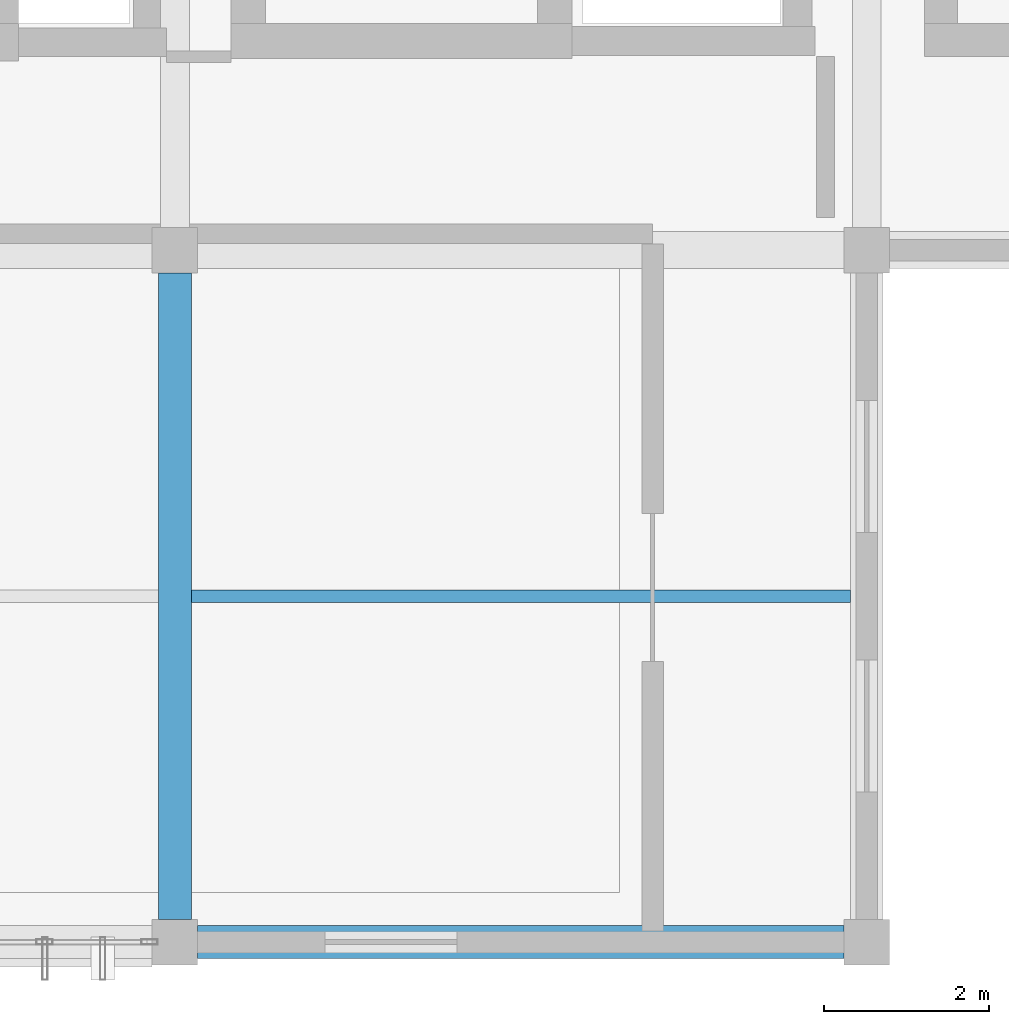
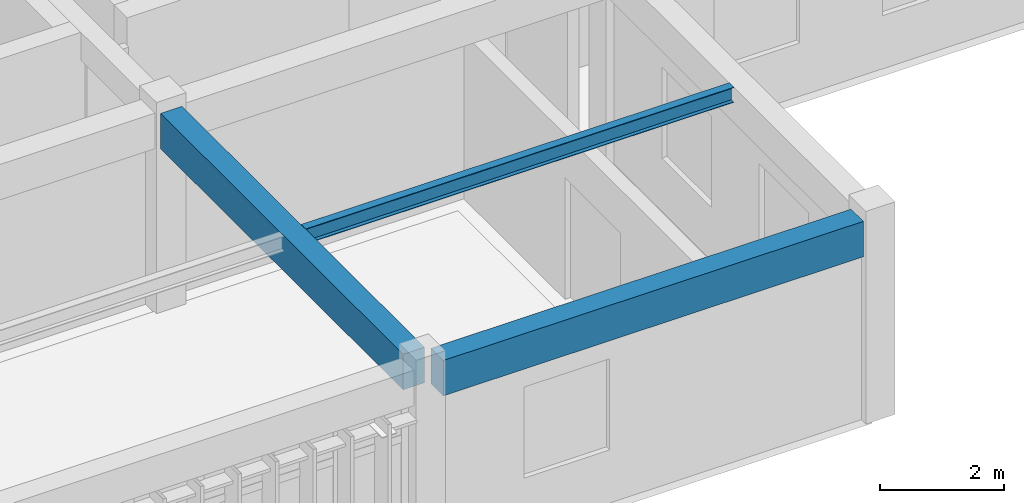
# One storey, part 6 of 21: 3 beams.
"""IFC4 building model written with IfcOpenShell, lengths in metres."""

import ifcopenshell
import ifcopenshell.guid

model = None  # the IFC model being written
_history = None  # IfcOwnerHistory: only IFC2X3 demands one
_inside = {}  # id of a spatial element -> (the spatial element, [elements in it])
_under = {}  # id of a project, library or spatial element -> (it, [spatial elements below it])
_declared = {}  # id of a project -> (the project, [libraries it declares])
_typed = {}  # id of a type object -> (the type object, [elements of that type])
_made_of = {}  # id of a material, layer set ... -> (it, [elements and type objects made of it])


def new_model(schema):
    """Start an empty IFC model of exactly this schema.

    Asked for "IFC4X3", IfcOpenShell would pick the latest addendum, in which some entities
    have other attributes; the version numbers below select the first issue.
    IFC2X3 requires an IfcOwnerHistory on every rooted entity: one is made here for all.
    """
    global model, _history
    if schema == "IFC4X3":
        model = ifcopenshell.file(schema_version=(4, 3, 0, 0))
    else:
        model = ifcopenshell.file(schema=schema)
    _inside.clear()
    _under.clear()
    _declared.clear()
    _typed.clear()
    _made_of.clear()
    _history = None
    if model.schema == "IFC2X3":
        org = make("IfcOrganization", Name="unknown")
        user = make(
            "IfcPersonAndOrganization",
            ThePerson=make("IfcPerson", FamilyName="unknown"),
            TheOrganization=org,
        )
        app = make(
            "IfcApplication",
            ApplicationDeveloper=org,
            Version="unknown",
            ApplicationFullName="unknown",
            ApplicationIdentifier="unknown",
        )
        _history = make(
            "IfcOwnerHistory",
            OwningUser=user,
            OwningApplication=app,
            ChangeAction="ADDED",
            CreationDate=0,
        )
    return model


def make(cls, **values):
    """One entity of the class cls with the attributes given. An attribute that is None is left unset."""
    return model.create_entity(
        cls, **{name: value for name, value in values.items() if value is not None}
    )


def rooted(cls, **values):
    """An entity with a GlobalId (a new one), such as an element, a storey or a relation."""
    return make(cls, GlobalId=ifcopenshell.guid.new(), OwnerHistory=_history, **values)


def si_unit(unit_type, name, prefix=None):
    """IfcSIUnit, for example si_unit("LENGTHUNIT", "METRE", prefix="MILLI")."""
    return make("IfcSIUnit", UnitType=unit_type, Prefix=prefix, Name=name)


def assignment(units):
    """IfcUnitAssignment: the units of a project."""
    return None if units is None else make("IfcUnitAssignment", Units=units)


def point(xyz):
    """IfcCartesianPoint."""
    return None if xyz is None else make("IfcCartesianPoint", Coordinates=xyz)


def direction(xyz):
    """IfcDirection."""
    return None if xyz is None else make("IfcDirection", DirectionRatios=xyz)


def frame(location, z_axis=None, x_axis=None):
    """IfcAxis2Placement3D, a coordinate frame: its origin and axes. An axis left out is left unset."""
    return make(
        "IfcAxis2Placement3D",
        Location=point(location),
        Axis=direction(z_axis),
        RefDirection=direction(x_axis),
    )


def frame_2d(location, x_axis=None):
    """IfcAxis2Placement2D, a coordinate frame in the plane: its origin and x axis."""
    return make(
        "IfcAxis2Placement2D", Location=point(location), RefDirection=direction(x_axis)
    )


def origin():
    """The frame at (0, 0, 0) with its axes left unset."""
    return frame((0.0, 0.0, 0.0))


def origin_2d():
    """The frame at (0, 0) in the plane with its x axis left unset."""
    return frame_2d((0.0, 0.0))


def place(relative_to, where):
    """IfcLocalPlacement: puts the frame where relative to a parent placement (None: the world)."""
    return make(
        "IfcLocalPlacement", PlacementRelTo=relative_to, RelativePlacement=where
    )


def context(
    kind, dimensions, precision=None, world=None, true_north=None, identifier=None
):
    """IfcGeometricRepresentationContext, for example the 3D "Model" context."""
    return make(
        "IfcGeometricRepresentationContext",
        ContextIdentifier=identifier,
        ContextType=kind,
        CoordinateSpaceDimension=dimensions,
        Precision=precision,
        WorldCoordinateSystem=world,
        TrueNorth=true_north,
    )


def subcontext(parent, identifier, kind, view, scale=None):
    """IfcGeometricRepresentationSubContext, for example "Body" below "Model"."""
    return make(
        "IfcGeometricRepresentationSubContext",
        ContextIdentifier=identifier,
        ContextType=kind,
        ParentContext=parent,
        TargetScale=scale,
        TargetView=view,
    )


def project(units=None, contexts=None):
    """IfcProject with its units and contexts."""
    return rooted(
        "IfcProject",
        Name="project",
        RepresentationContexts=contexts,
        UnitsInContext=assignment(units),
    )


def spatial(cls, under=None, at=None, **own):
    """A site, building, storey or space (cls), placed at a placement, below another one or the project."""
    s = rooted(cls, ObjectPlacement=at, **own)
    if under is not None:
        _under.setdefault(under.id(), (under, []))[1].append(s)
    return s


def profile(cls, at=None, kind="AREA", **sizes):
    """A parametric profile (cls). Its sizes go by their IFC names, for example OverallWidth=200.0."""
    return make(cls, ProfileType=kind, Position=at, **sizes)


def rectangle(**sizes):
    """IfcRectangleProfileDef."""
    return profile("IfcRectangleProfileDef", **sizes)


def i_section(**sizes):
    """IfcIShapeProfileDef."""
    return profile("IfcIShapeProfileDef", **sizes)


def extrude(swept, where, along, depth):
    """IfcExtrudedAreaSolid: the profile swept, set in the frame where, extruded along a direction by depth."""
    return make(
        "IfcExtrudedAreaSolid",
        SweptArea=swept,
        Position=where,
        ExtrudedDirection=direction(along),
        Depth=depth,
    )


def shape(context_of_items, identifier, shape_type, items):
    """IfcShapeRepresentation: the items that make up one representation, for example the "Body"."""
    return make(
        "IfcShapeRepresentation",
        ContextOfItems=context_of_items,
        RepresentationIdentifier=identifier,
        RepresentationType=shape_type,
        Items=items,
    )


def material(Name=None, Category=None):
    """IfcMaterial."""
    return make("IfcMaterial", Name=Name, Category=Category)


def material_profile(
    of_material, cross_section, Name=None, Category=None, Priority=None
):
    """IfcMaterialProfile: a cross section and its material."""
    return make(
        "IfcMaterialProfile",
        Name=Name,
        Material=of_material,
        Profile=cross_section,
        Priority=Priority,
        Category=Category,
    )


def profile_set(profiles, Name=None, composite=None):
    """IfcMaterialProfileSet."""
    return make(
        "IfcMaterialProfileSet",
        Name=Name,
        MaterialProfiles=profiles,
        CompositeProfile=composite,
    )


def made_of(thing, what):
    """Note that an element or type object is made of a material, layer set ...; save() writes the relation."""
    if what is not None:
        _made_of.setdefault(what.id(), (what, []))[1].append(thing)
    return thing


def type_object(cls, material=None, **own):
    """A type object (cls), such as IfcWallType, which elements share."""
    return made_of(rooted(cls, **own), material)


def element(
    cls,
    number,
    at=None,
    inside=None,
    cuts=None,
    type_object=None,
    material=None,
    context=None,
    identifier="Body",
    shape_type=None,
    held_by="IfcProductDefinitionShape",
    body=None,
    shapes=None,
    **own,
):
    """One element of the class cls, such as IfcWall. Its Tag is "e" and its number.

    at: its placement. inside: the storey or other place that contains it. cuts: it is an
    opening in that element (IfcRelVoidsElement). A single representation is given by context,
    identifier, shape_type and body (its items); several are given by shapes. held_by: the class
    of the entity that holds the representations. save() writes the other relations.
    """
    e = rooted(cls, Tag="e%d" % number, ObjectPlacement=at, **own)
    if body is not None:
        shapes = [shape(context, identifier, shape_type, body)]
    if shapes is not None:
        e.Representation = make(held_by, Representations=shapes)
    if inside is not None:
        _inside.setdefault(inside.id(), (inside, []))[1].append(e)
    if cuts is not None:
        rooted(
            "IfcRelVoidsElement", RelatingBuildingElement=cuts, RelatedOpeningElement=e
        )
    if type_object is not None:
        _typed.setdefault(type_object.id(), (type_object, []))[1].append(e)
    return made_of(e, material)


def aggregate(whole, parts):
    """IfcRelAggregates: a whole, such as a stair, and the parts it consists of."""
    return rooted("IfcRelAggregates", RelatingObject=whole, RelatedObjects=parts)


def save(model, path):
    """Write the relations noted so far, then the file.

    IfcRelAggregates (storeys below a building ...), IfcRelContainedInSpatialStructure (elements
    in a storey), IfcRelDefinesByType, IfcRelAssociatesMaterial and IfcRelDeclares: one each for
    every whole, place, type object, material and project.
    """
    for whole, parts in _under.values():
        aggregate(whole, parts)
    for where, things in _inside.values():
        rooted(
            "IfcRelContainedInSpatialStructure",
            RelatedElements=things,
            RelatingStructure=where,
        )
    for kind, things in _typed.values():
        rooted("IfcRelDefinesByType", RelatedObjects=things, RelatingType=kind)
    for what, things in _made_of.values():
        rooted("IfcRelAssociatesMaterial", RelatedObjects=things, RelatingMaterial=what)
    for by, libraries in _declared.values():
        rooted("IfcRelDeclares", RelatingContext=by, RelatedDefinitions=libraries)
    model.write(path)


model = new_model("IFC4")

# Units and contexts
model_context = context("Model", 3, precision=1e-05, world=origin(), true_north=direction((0.0, 1.0)))
body_context = subcontext(model_context, "Body", "Model", "MODEL_VIEW")
ifc_project = project(units=[si_unit("LENGTHUNIT", "METRE"), si_unit("AREAUNIT", "SQUARE_METRE"), si_unit("VOLUMEUNIT", "CUBIC_METRE"), si_unit("PLANEANGLEUNIT", "RADIAN"), si_unit("MASSUNIT", "GRAM", prefix="KILO")], contexts=[model_context])

# Site, building, storey
site_placement = place(None, origin())
site = spatial("IfcSite", under=ifc_project, at=site_placement, CompositionType="ELEMENT")
building_placement = place(site_placement, origin())
building = spatial("IfcBuilding", under=site, at=building_placement, Name="Krzemoval Escarpment Law Courts", CompositionType="ELEMENT")
storey_placement = place(building_placement, frame((0.0, 0.0, 37.800048828125)))
storey = spatial("IfcBuildingStorey", under=building, at=storey_placement, Name="L08", CompositionType="ELEMENT", Elevation=37.800048828125)

# Beams
ifc_material_1 = material(Name="Concrete C40/50", Category="concrete")
ifc_material_profile_1 = material_profile(ifc_material_1, rectangle(XDim=0.39990234375, YDim=0.699951171875, at=origin_2d()), Name="RCB 400x700")
ifc_profile_set_1 = profile_set([ifc_material_profile_1], Name="Concrete C40/50")
beam_type_1 = type_object("IfcBeamType", Name="BM-RC-400x700", PredefinedType="BEAM", material=ifc_profile_set_1)
for number, where, z_axis, x_axis, name in (
    (1, (134.675048828125, 85.199951171875, 3.60986328125), (1.0, 0.0, 0.0), (0.0, 1.0, 0.0), "Beam FG-L08-2744"),
    (2, (134.39990234375, 85.47509765625, 3.60986328125), (0.0, 1.0, 0.0), (-1.0, 0.0, 0.0), "Beam FG-L08-2764"),
):
    element("IfcBeam", number, at=place(storey_placement, frame(where, z_axis=z_axis, x_axis=x_axis)), inside=storey, type_object=beam_type_1, Name=name, PredefinedType="BEAM", context=body_context, shape_type="SweptSolid", body=[
        extrude(rectangle(XDim=0.39990234375, YDim=0.699951171875, at=origin_2d()), origin(), (0.0, 0.0, 1.0), 7.849853515625),
    ])
ifc_material_2 = material(Name="Steel S355", Category="steel")
ifc_material_profile_2 = material_profile(ifc_material_2, i_section(OverallWidth=0.14990234375, OverallDepth=0.300048828125, WebThickness=0.007080078125, FlangeThickness=0.0107421875, at=origin_2d()), Name="IPE 300")
ifc_profile_set_2 = profile_set([ifc_material_profile_2], Name="Steel S355")
beam_type_2 = type_object("IfcBeamType", Name="JST-S355-IPE300", PredefinedType="JOIST", material=ifc_profile_set_2)
beam_placement = place(storey_placement, frame((134.60009765625, 89.39990234375, 3.81005859375), z_axis=(1.0, 0.0, 0.0), x_axis=(0.0, 1.0, 0.0)))
element("IfcBeam", 3, at=beam_placement, inside=storey, type_object=beam_type_2, Name="Secondary Joist FJ-L08-2783", PredefinedType="JOIST", context=body_context, shape_type="SweptSolid", body=[
    extrude(i_section(OverallWidth=0.14990234375, OverallDepth=0.300048828125, WebThickness=0.007080078125, FlangeThickness=0.0107421875, at=origin_2d()), origin(), (0.0, 0.0, 1.0), 8.0),
])

save(model, "model.ifc")
